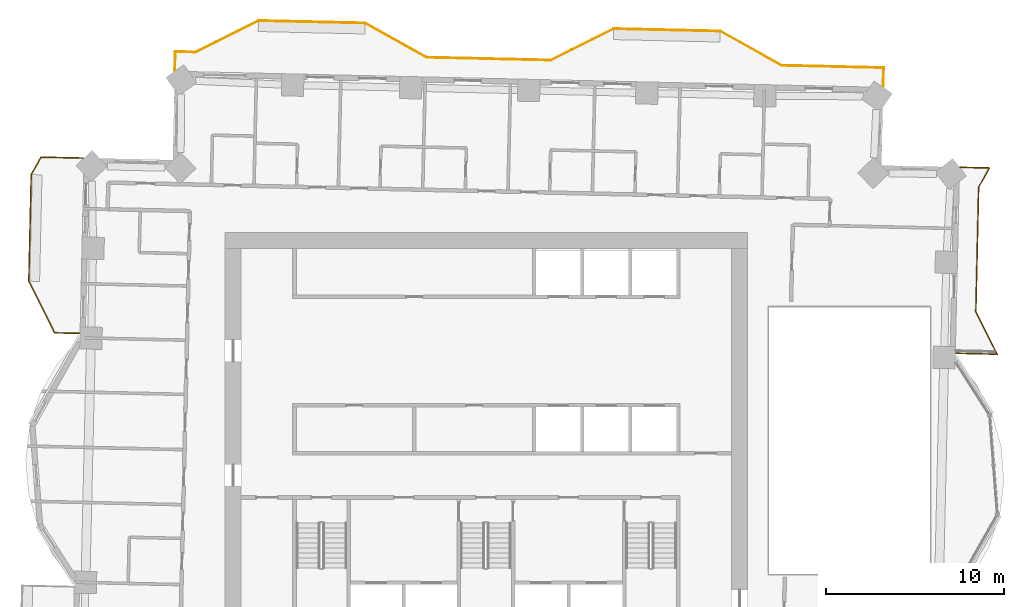
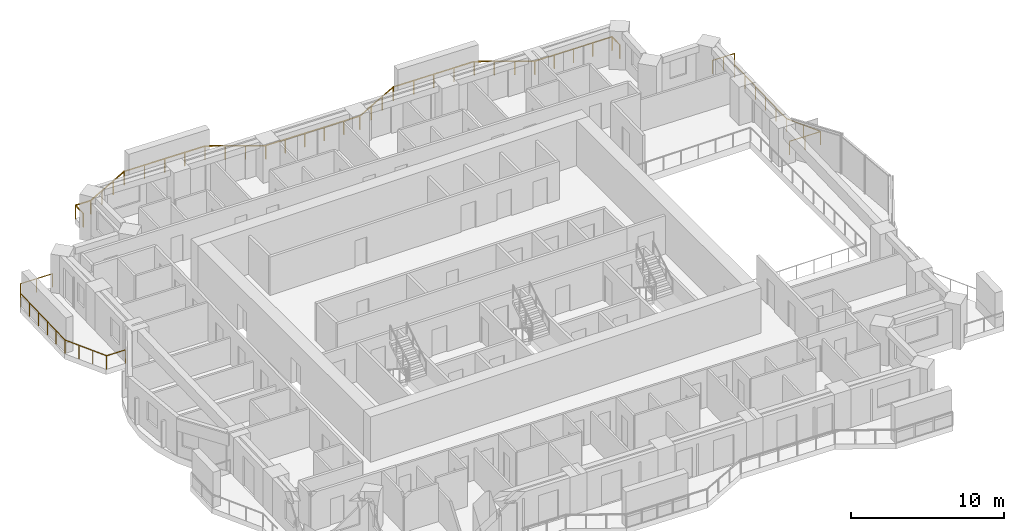
# One storey, part 15 of 15: 3 railings.
"""IFC4 building model written with IfcOpenShell, lengths in metres."""

from ifc_helpers import new_model, si_unit, direction, frame, origin, origin_2d, place, context, subcontext, project, spatial, rectangle, extrude, material, type_object, element, save


model = new_model("IFC4")

# Units and contexts
model_context = context("Model", 3, precision=1e-05, world=origin(), true_north=direction((0.0, 1.0)))
body_context = subcontext(model_context, "Body", "Model", "MODEL_VIEW")
ifc_project = project(units=[si_unit("LENGTHUNIT", "METRE"), si_unit("AREAUNIT", "SQUARE_METRE"), si_unit("VOLUMEUNIT", "CUBIC_METRE"), si_unit("PLANEANGLEUNIT", "RADIAN"), si_unit("MASSUNIT", "GRAM", prefix="KILO")], contexts=[model_context])

# Site, building, storey
site_placement = place(None, origin())
site = spatial("IfcSite", under=ifc_project, at=site_placement, CompositionType="ELEMENT")
building_placement = place(site_placement, origin())
building = spatial("IfcBuilding", under=site, at=building_placement, Name="Mangrove Gate Tower", CompositionType="ELEMENT")
storey_placement = place(building_placement, frame((0.0, 0.0, 156.300048828125)))
storey = spatial("IfcBuildingStorey", under=building, at=storey_placement, Name="L39", CompositionType="ELEMENT", Elevation=156.300048828125)

# Railings
ifc_material = material(Name="Stainless steel grade 316 with laminated glass infill", Category="steel")
railing_type = type_object("IfcRailingType", Name="Balcony guard 1100", PredefinedType="GUARDRAIL", material=ifc_material)
railing_1_placement = place(storey_placement, frame((26.43505859375, 4.9130859375, 0.0)))
element("IfcRailing", 1, at=railing_1_placement, inside=storey, type_object=railing_type, Name="GUARD L39 E2", PredefinedType="GUARDRAIL", context=body_context, shape_type="SweptSolid", body=[
    extrude(rectangle(XDim=0.048095703125, YDim=0.048095703125, at=origin_2d()), frame((0.0, 0.0, 1.076171875), z_axis=(0.999747788443, -0.022457949688, 0.0), x_axis=(0.022457949688, 0.999747788443, 0.0)), (0.0, 0.0, 1.0), 2.3154296875),
    extrude(rectangle(XDim=0.048095703125, YDim=0.048095703125, at=origin_2d()), frame((2.31494140625, -0.052001953125, 1.076171875), z_axis=(-0.44706817201, 0.894499887969, 0.0), x_axis=(-0.894499887969, -0.44706817201, 0.0)), (0.0, 0.0, 1.0), 2.686279296875),
    extrude(rectangle(XDim=0.048095703125, YDim=0.048095703125, at=origin_2d()), frame((1.114013671875, 2.350830078125, 1.076171875), z_axis=(0.022705559911, 0.999742195543, 0.0), x_axis=(-0.999742195543, 0.022705559911, 0.0)), (0.0, 0.0, 1.0), 6.999755859375),
    extrude(rectangle(XDim=0.048095703125, YDim=0.048095703125, at=origin_2d()), frame((1.27294921875, 9.348876953125, 1.076171875), z_axis=(0.487275645307, 0.87324821528, 0.0), x_axis=(-0.87324821528, 0.487275645307, 0.0)), (0.0, 0.0, 1.0), 1.24365234375),
    extrude(rectangle(XDim=0.048095703125, YDim=0.048095703125, at=origin_2d()), frame((1.87890625, 10.434814453125, 1.076171875), z_axis=(-0.999744363518, 0.022609900797, 0.0), x_axis=(-0.022609900797, -0.999744363518, 0.0)), (0.0, 0.0, 1.0), 1.641357421875),
    extrude(rectangle(XDim=0.0419921875, YDim=0.0419921875, at=origin_2d()), origin(), (0.0, 0.0, 1.0), 1.052001953125),
    extrude(rectangle(XDim=0.0419921875, YDim=0.0419921875, at=origin_2d()), frame((1.157470703125, -0.02587890625, 0.0)), (0.0, 0.0, 1.0), 1.052001953125),
    extrude(rectangle(XDim=0.0419921875, YDim=0.0419921875, at=origin_2d()), frame((2.31494140625, -0.052001953125, 0.0)), (0.0, 0.0, 1.0), 1.052001953125),
    extrude(rectangle(XDim=0.0419921875, YDim=0.0419921875, at=origin_2d()), frame((1.71435546875, 1.1494140625, 0.0)), (0.0, 0.0, 1.0), 1.052001953125),
    extrude(rectangle(XDim=0.0419921875, YDim=0.0419921875, at=origin_2d()), frame((1.114013671875, 2.350830078125, 0.0)), (0.0, 0.0, 1.0), 1.052001953125),
    extrude(rectangle(XDim=0.0419921875, YDim=0.0419921875, at=origin_2d()), frame((1.145751953125, 3.75048828125, 0.0)), (0.0, 0.0, 1.0), 1.052001953125),
    extrude(rectangle(XDim=0.0419921875, YDim=0.0419921875, at=origin_2d()), frame((1.177490234375, 5.150146484375, 0.0)), (0.0, 0.0, 1.0), 1.052001953125),
    extrude(rectangle(XDim=0.0419921875, YDim=0.0419921875, at=origin_2d()), frame((1.20947265625, 6.549560546875, 0.0)), (0.0, 0.0, 1.0), 1.052001953125),
    extrude(rectangle(XDim=0.0419921875, YDim=0.0419921875, at=origin_2d()), frame((1.2412109375, 7.94921875, 0.0)), (0.0, 0.0, 1.0), 1.052001953125),
    extrude(rectangle(XDim=0.0419921875, YDim=0.0419921875, at=origin_2d()), frame((1.27294921875, 9.348876953125, 0.0)), (0.0, 0.0, 1.0), 1.052001953125),
    extrude(rectangle(XDim=0.0419921875, YDim=0.0419921875, at=origin_2d()), frame((1.87890625, 10.434814453125, 0.0)), (0.0, 0.0, 1.0), 1.052001953125),
    extrude(rectangle(XDim=0.0419921875, YDim=0.0419921875, at=origin_2d()), frame((1.05859375, 10.453369140625, 0.0)), (0.0, 0.0, 1.0), 1.052001953125),
    extrude(rectangle(XDim=0.0419921875, YDim=0.0419921875, at=origin_2d()), frame((0.238037109375, 10.471923828125, 0.0)), (0.0, 0.0, 1.0), 1.052001953125),
])
railing_2_placement = place(storey_placement, frame((22.3349609375, 19.925048828125, 0.0)))
element("IfcRailing", 2, at=railing_2_placement, inside=storey, type_object=railing_type, Name="GUARD L39 N1", PredefinedType="GUARDRAIL", context=body_context, shape_type="SweptSolid", body=[
    extrude(rectangle(XDim=0.048095703125, YDim=0.048095703125, at=origin_2d()), frame((0.0, 0.0, 1.076171875), z_axis=(0.022564497502, 0.999745389313, 0.0), x_axis=(-0.999745389313, 0.022564497502, 0.0)), (0.0, 0.0, 1.0), 1.060302734375),
    extrude(rectangle(XDim=0.048095703125, YDim=0.048095703125, at=origin_2d()), frame((0.02392578125, 1.06005859375, 1.076171875), z_axis=(-0.999743982884, 0.022626725044, 0.0), x_axis=(-0.022626725044, -0.999743982885, 0.0)), (0.0, 0.0, 1.0), 5.740234375),
    extrude(rectangle(XDim=0.048095703125, YDim=0.048095703125, at=origin_2d()), frame((-5.71484375, 1.18994140625, 1.076171875), z_axis=(-0.87325689943, 0.48726008209, 0.0), x_axis=(-0.48726008209, -0.87325689943, 0.0)), (0.0, 0.0, 1.0), 3.958740234375),
    extrude(rectangle(XDim=0.048095703125, YDim=0.048095703125, at=origin_2d()), frame((-9.171875, 3.118896484375, 1.076171875), z_axis=(-0.999743094499, 0.022665943652, 0.0), x_axis=(-0.022665943652, -0.999743094499, 0.0)), (0.0, 0.0, 1.0), 5.99951171875),
    extrude(rectangle(XDim=0.048095703125, YDim=0.048095703125, at=origin_2d()), frame((-15.169921875, 3.2548828125, 1.076171875), z_axis=(-0.894476522376, -0.447114919141, 0.0), x_axis=(0.447114919141, -0.894476522376, 0.0)), (0.0, 0.0, 1.0), 3.958740234375),
    extrude(rectangle(XDim=0.048095703125, YDim=0.048095703125, at=origin_2d()), frame((-18.7109375, 1.48486328125, 1.076171875), z_axis=(-0.999745080635, 0.022578169675, 0.0), x_axis=(-0.022578169675, -0.999745080635, 0.0)), (0.0, 0.0, 1.0), 1.2001953125),
    extrude(rectangle(XDim=0.048095703125, YDim=0.048095703125, at=origin_2d()), frame((-19.910888671875, 1.511962890625, 1.076171875), z_axis=(-0.999740726178, 0.022770165152, 0.0), x_axis=(-0.022770165152, -0.999740726178, 0.0)), (0.0, 0.0, 1.0), 5.800537109375),
    extrude(rectangle(XDim=0.048095703125, YDim=0.048095703125, at=origin_2d()), frame((-25.7099609375, 1.64404296875, 1.076171875), z_axis=(-0.87325689943, 0.48726008209, 0.0), x_axis=(-0.48726008209, -0.87325689943, 0.0)), (0.0, 0.0, 1.0), 3.958740234375),
    extrude(rectangle(XDim=0.048095703125, YDim=0.048095703125, at=origin_2d()), frame((-29.1669921875, 3.572998046875, 1.076171875), z_axis=(-0.999743094499, 0.022665943652, 0.0), x_axis=(-0.022665943652, -0.999743094499, 0.0)), (0.0, 0.0, 1.0), 5.99951171875),
    extrude(rectangle(XDim=0.048095703125, YDim=0.048095703125, at=origin_2d()), frame((-35.1650390625, 3.708984375, 1.076171875), z_axis=(-0.894476522376, -0.447114919141, 0.0), x_axis=(0.447114919141, -0.894476522376, 0.0)), (0.0, 0.0, 1.0), 3.958740234375),
    extrude(rectangle(XDim=0.048095703125, YDim=0.048095703125, at=origin_2d()), frame((-38.7060546875, 1.93896484375, 1.076171875), z_axis=(-0.999742387968, 0.022697085698, 0.0), x_axis=(-0.022697085698, -0.999742387968, 0.0)), (0.0, 0.0, 1.0), 1.14013671875),
    extrude(rectangle(XDim=0.048095703125, YDim=0.048095703125, at=origin_2d()), frame((-39.845947265625, 1.96484375, 1.076171875), z_axis=(-0.02256969285, -0.999745272039, 0.0), x_axis=(0.999745272039, -0.02256969285, 0.0)), (0.0, 0.0, 1.0), 1.06005859375),
    extrude(rectangle(XDim=0.0419921875, YDim=0.0419921875, at=origin_2d()), origin(), (0.0, 0.0, 1.0), 1.052001953125),
    extrude(rectangle(XDim=0.0419921875, YDim=0.0419921875, at=origin_2d()), frame((0.02392578125, 1.06005859375, 0.0)), (0.0, 0.0, 1.0), 1.052001953125),
    extrude(rectangle(XDim=0.0419921875, YDim=0.0419921875, at=origin_2d()), frame((-1.41064453125, 1.092529296875, 0.0)), (0.0, 0.0, 1.0), 1.052001953125),
    extrude(rectangle(XDim=0.0419921875, YDim=0.0419921875, at=origin_2d()), frame((-2.845458984375, 1.125, 0.0)), (0.0, 0.0, 1.0), 1.052001953125),
    extrude(rectangle(XDim=0.0419921875, YDim=0.0419921875, at=origin_2d()), frame((-4.2802734375, 1.157470703125, 0.0)), (0.0, 0.0, 1.0), 1.052001953125),
    extrude(rectangle(XDim=0.0419921875, YDim=0.0419921875, at=origin_2d()), frame((-5.71484375, 1.18994140625, 0.0)), (0.0, 0.0, 1.0), 1.052001953125),
    extrude(rectangle(XDim=0.0419921875, YDim=0.0419921875, at=origin_2d()), frame((-6.8671875, 1.8330078125, 0.0)), (0.0, 0.0, 1.0), 1.052001953125),
    extrude(rectangle(XDim=0.0419921875, YDim=0.0419921875, at=origin_2d()), frame((-8.01953125, 2.475830078125, 0.0)), (0.0, 0.0, 1.0), 1.052001953125),
    extrude(rectangle(XDim=0.0419921875, YDim=0.0419921875, at=origin_2d()), frame((-9.171875, 3.118896484375, 0.0)), (0.0, 0.0, 1.0), 1.052001953125),
    extrude(rectangle(XDim=0.0419921875, YDim=0.0419921875, at=origin_2d()), frame((-10.67138671875, 3.15283203125, 0.0)), (0.0, 0.0, 1.0), 1.052001953125),
    extrude(rectangle(XDim=0.0419921875, YDim=0.0419921875, at=origin_2d()), frame((-12.1708984375, 3.18701171875, 0.0)), (0.0, 0.0, 1.0), 1.052001953125),
    extrude(rectangle(XDim=0.0419921875, YDim=0.0419921875, at=origin_2d()), frame((-13.67041015625, 3.220947265625, 0.0)), (0.0, 0.0, 1.0), 1.052001953125),
    extrude(rectangle(XDim=0.0419921875, YDim=0.0419921875, at=origin_2d()), frame((-15.169921875, 3.2548828125, 0.0)), (0.0, 0.0, 1.0), 1.052001953125),
    extrude(rectangle(XDim=0.0419921875, YDim=0.0419921875, at=origin_2d()), frame((-16.350341796875, 2.664794921875, 0.0)), (0.0, 0.0, 1.0), 1.052001953125),
    extrude(rectangle(XDim=0.0419921875, YDim=0.0419921875, at=origin_2d()), frame((-17.530517578125, 2.074951171875, 0.0)), (0.0, 0.0, 1.0), 1.052001953125),
    extrude(rectangle(XDim=0.0419921875, YDim=0.0419921875, at=origin_2d()), frame((-18.7109375, 1.48486328125, 0.0)), (0.0, 0.0, 1.0), 1.052001953125),
    extrude(rectangle(XDim=0.0419921875, YDim=0.0419921875, at=origin_2d()), frame((-19.910888671875, 1.511962890625, 0.0)), (0.0, 0.0, 1.0), 1.052001953125),
    extrude(rectangle(XDim=0.0419921875, YDim=0.0419921875, at=origin_2d()), frame((-21.360595703125, 1.544921875, 0.0)), (0.0, 0.0, 1.0), 1.052001953125),
    extrude(rectangle(XDim=0.0419921875, YDim=0.0419921875, at=origin_2d()), frame((-22.810546875, 1.578125, 0.0)), (0.0, 0.0, 1.0), 1.052001953125),
    extrude(rectangle(XDim=0.0419921875, YDim=0.0419921875, at=origin_2d()), frame((-24.26025390625, 1.611083984375, 0.0)), (0.0, 0.0, 1.0), 1.052001953125),
    extrude(rectangle(XDim=0.0419921875, YDim=0.0419921875, at=origin_2d()), frame((-25.7099609375, 1.64404296875, 0.0)), (0.0, 0.0, 1.0), 1.052001953125),
    extrude(rectangle(XDim=0.0419921875, YDim=0.0419921875, at=origin_2d()), frame((-26.8623046875, 2.287109375, 0.0)), (0.0, 0.0, 1.0), 1.052001953125),
    extrude(rectangle(XDim=0.0419921875, YDim=0.0419921875, at=origin_2d()), frame((-28.0146484375, 2.929931640625, 0.0)), (0.0, 0.0, 1.0), 1.052001953125),
    extrude(rectangle(XDim=0.0419921875, YDim=0.0419921875, at=origin_2d()), frame((-29.1669921875, 3.572998046875, 0.0)), (0.0, 0.0, 1.0), 1.052001953125),
    extrude(rectangle(XDim=0.0419921875, YDim=0.0419921875, at=origin_2d()), frame((-30.66650390625, 3.60693359375, 0.0)), (0.0, 0.0, 1.0), 1.052001953125),
    extrude(rectangle(XDim=0.0419921875, YDim=0.0419921875, at=origin_2d()), frame((-32.166015625, 3.64111328125, 0.0)), (0.0, 0.0, 1.0), 1.052001953125),
    extrude(rectangle(XDim=0.0419921875, YDim=0.0419921875, at=origin_2d()), frame((-33.66552734375, 3.675048828125, 0.0)), (0.0, 0.0, 1.0), 1.052001953125),
    extrude(rectangle(XDim=0.0419921875, YDim=0.0419921875, at=origin_2d()), frame((-35.1650390625, 3.708984375, 0.0)), (0.0, 0.0, 1.0), 1.052001953125),
    extrude(rectangle(XDim=0.0419921875, YDim=0.0419921875, at=origin_2d()), frame((-36.345458984375, 3.118896484375, 0.0)), (0.0, 0.0, 1.0), 1.052001953125),
    extrude(rectangle(XDim=0.0419921875, YDim=0.0419921875, at=origin_2d()), frame((-37.525634765625, 2.529052734375, 0.0)), (0.0, 0.0, 1.0), 1.052001953125),
    extrude(rectangle(XDim=0.0419921875, YDim=0.0419921875, at=origin_2d()), frame((-38.7060546875, 1.93896484375, 0.0)), (0.0, 0.0, 1.0), 1.052001953125),
    extrude(rectangle(XDim=0.0419921875, YDim=0.0419921875, at=origin_2d()), frame((-39.845947265625, 1.96484375, 0.0)), (0.0, 0.0, 1.0), 1.052001953125),
    extrude(rectangle(XDim=0.0419921875, YDim=0.0419921875, at=origin_2d()), frame((-39.869873046875, 0.905029296875, 0.0)), (0.0, 0.0, 1.0), 1.052001953125),
])
railing_3_placement = place(storey_placement, frame((-22.68798828125, 15.906005859375, 0.0)))
element("IfcRailing", 3, at=railing_3_placement, inside=storey, type_object=railing_type, Name="GUARD L39 W1", PredefinedType="GUARDRAIL", context=body_context, shape_type="SweptSolid", body=[
    extrude(rectangle(XDim=0.048095703125, YDim=0.048095703125, at=origin_2d()), frame((0.0, 0.0, 1.076171875), z_axis=(-0.999752570308, 0.022244059034, 0.0), x_axis=(-0.022244059034, -0.999752570308, 0.0)), (0.0, 0.0, 1.0), 2.381591796875),
    extrude(rectangle(XDim=0.048095703125, YDim=0.048095703125, at=origin_2d()), frame((-2.381103515625, 0.052978515625, 1.076171875), z_axis=(-0.487438918622, -0.873157088165, 0.0), x_axis=(0.873157088165, -0.487438918622, 0.0)), (0.0, 0.0, 1.0), 1.13037109375),
    extrude(rectangle(XDim=0.048095703125, YDim=0.048095703125, at=origin_2d()), frame((-2.93212890625, -0.93408203125, 1.076171875), z_axis=(-0.022662255828, -0.999743178102, 0.0), x_axis=(0.999743178102, -0.022662255828, 0.0)), (0.0, 0.0, 1.0), 6.00048828125),
    extrude(rectangle(XDim=0.048095703125, YDim=0.048095703125, at=origin_2d()), frame((-3.068115234375, -6.93310546875, 1.076171875), z_axis=(0.447243631758, -0.894412172241, 0.0), x_axis=(0.894412172241, 0.447243631758, 0.0)), (0.0, 0.0, 1.0), 3.251220703125),
    extrude(rectangle(XDim=0.048095703125, YDim=0.048095703125, at=origin_2d()), frame((-1.614013671875, -9.841064453125, 1.076171875), z_axis=(0.999751267222, -0.022302548909, 0.0), x_axis=(0.022302548909, 0.999751267222, 0.0)), (0.0, 0.0, 1.0), 1.39013671875),
    extrude(rectangle(XDim=0.0419921875, YDim=0.0419921875, at=origin_2d()), origin(), (0.0, 0.0, 1.0), 1.052001953125),
    extrude(rectangle(XDim=0.0419921875, YDim=0.0419921875, at=origin_2d()), frame((-1.1904296875, 0.0263671875, 0.0)), (0.0, 0.0, 1.0), 1.052001953125),
    extrude(rectangle(XDim=0.0419921875, YDim=0.0419921875, at=origin_2d()), frame((-2.381103515625, 0.052978515625, 0.0)), (0.0, 0.0, 1.0), 1.052001953125),
    extrude(rectangle(XDim=0.0419921875, YDim=0.0419921875, at=origin_2d()), frame((-2.93212890625, -0.93408203125, 0.0)), (0.0, 0.0, 1.0), 1.052001953125),
    extrude(rectangle(XDim=0.0419921875, YDim=0.0419921875, at=origin_2d()), frame((-2.959228515625, -2.1337890625, 0.0)), (0.0, 0.0, 1.0), 1.052001953125),
    extrude(rectangle(XDim=0.0419921875, YDim=0.0419921875, at=origin_2d()), frame((-2.986572265625, -3.333740234375, 0.0)), (0.0, 0.0, 1.0), 1.052001953125),
    extrude(rectangle(XDim=0.0419921875, YDim=0.0419921875, at=origin_2d()), frame((-3.013671875, -4.533447265625, 0.0)), (0.0, 0.0, 1.0), 1.052001953125),
    extrude(rectangle(XDim=0.0419921875, YDim=0.0419921875, at=origin_2d()), frame((-3.041015625, -5.7333984375, 0.0)), (0.0, 0.0, 1.0), 1.052001953125),
    extrude(rectangle(XDim=0.0419921875, YDim=0.0419921875, at=origin_2d()), frame((-3.068115234375, -6.93310546875, 0.0)), (0.0, 0.0, 1.0), 1.052001953125),
    extrude(rectangle(XDim=0.0419921875, YDim=0.0419921875, at=origin_2d()), frame((-2.58349609375, -7.90234375, 0.0)), (0.0, 0.0, 1.0), 1.052001953125),
    extrude(rectangle(XDim=0.0419921875, YDim=0.0419921875, at=origin_2d()), frame((-2.0986328125, -8.871826171875, 0.0)), (0.0, 0.0, 1.0), 1.052001953125),
    extrude(rectangle(XDim=0.0419921875, YDim=0.0419921875, at=origin_2d()), frame((-1.614013671875, -9.841064453125, 0.0)), (0.0, 0.0, 1.0), 1.052001953125),
    extrude(rectangle(XDim=0.0419921875, YDim=0.0419921875, at=origin_2d()), frame((-0.22412109375, -9.8720703125, 0.0)), (0.0, 0.0, 1.0), 1.052001953125),
])

save(model, "model.ifc")
